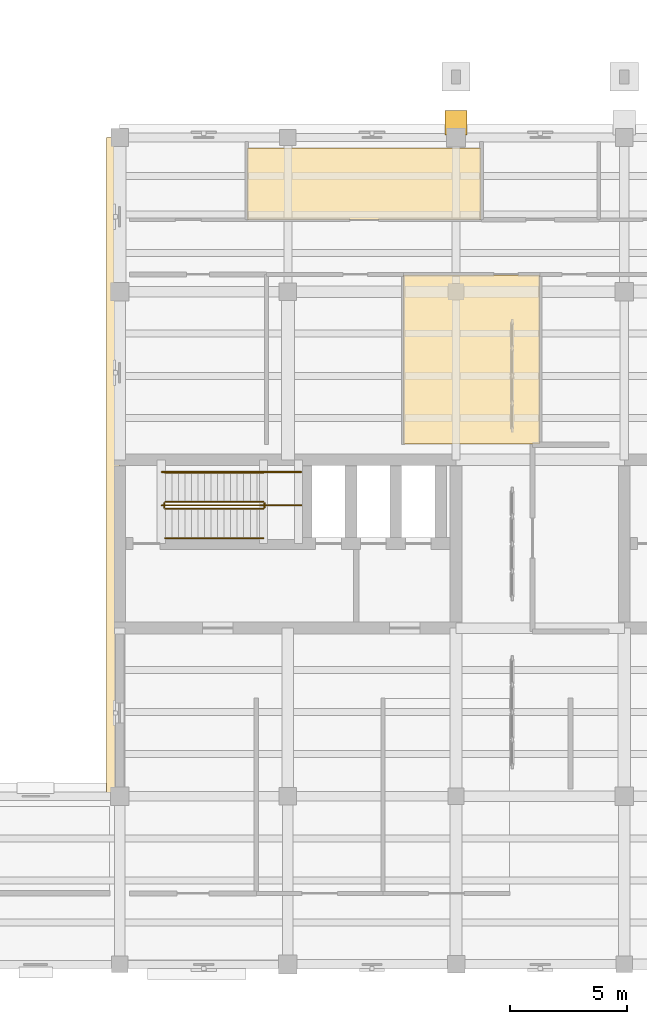
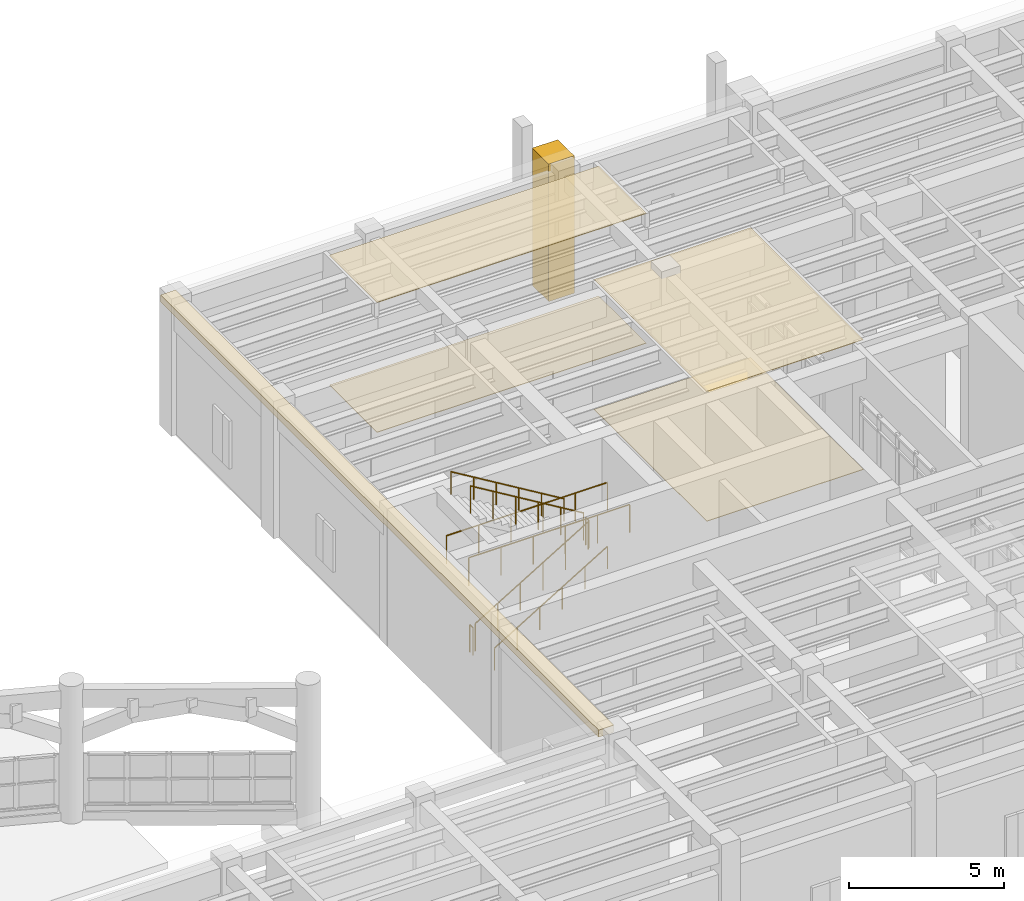
# One storey, part 95 of 100: 8 railings, 6 coverings.
"""IFC4 building model written with IfcOpenShell, lengths in metres."""

from ifc_helpers import new_model, si_unit, direction, frame, origin, origin_2d, place, context, subcontext, project, spatial, polyline, rectangle, circle, outline, extrude, material, layer, layer_set, type_object, element, save


model = new_model("IFC4")

# Units and contexts
model_context = context("Model", 3, precision=1e-05, world=origin(), true_north=direction((0.0, 1.0)))
body_context = subcontext(model_context, "Body", "Model", "MODEL_VIEW")
ifc_project = project(units=[si_unit("LENGTHUNIT", "METRE"), si_unit("AREAUNIT", "SQUARE_METRE"), si_unit("VOLUMEUNIT", "CUBIC_METRE"), si_unit("PLANEANGLEUNIT", "RADIAN"), si_unit("MASSUNIT", "GRAM", prefix="KILO")], contexts=[model_context])

# Site, building, storey
site_placement = place(None, origin())
site = spatial("IfcSite", under=ifc_project, at=site_placement, CompositionType="ELEMENT")
building_placement = place(site_placement, origin())
building = spatial("IfcBuilding", under=site, at=building_placement, Name="Mithqara Police Headquarters", CompositionType="ELEMENT")
storey_placement = place(building_placement, origin())
storey = spatial("IfcBuildingStorey", under=building, at=storey_placement, Name="L00", CompositionType="ELEMENT", Elevation=0.0)

# Coverings
ifc_material_1 = material(Name="Acoustic mineral-fibre ceiling tile", Category="gypsum")
ifc_layer_1 = layer(ifc_material_1, 0.02490234375, Name="Acoustic mineral-fibre ceiling tile")
ifc_layer_set_1 = layer_set([ifc_layer_1], Name="Acoustic mineral-fibre ceiling tile")
covering_type_1 = type_object("IfcCoveringType", Name="ACOUSTIC CEILING TILE", PredefinedType="CEILING", material=ifc_layer_set_1)
covering_1_placement = place(storey_placement, frame((0.0, 0.0, 5.094970703125)))
element("IfcCovering", 1, at=covering_1_placement, inside=storey, type_object=covering_type_1, Name="Security Access Badging Office Acoustic Ceiling", PredefinedType="CEILING", context=body_context, shape_type="SweptSolid", body=[
    extrude(outline(polyline([(120.760009765625, 100.8701171875), (126.580078125, 100.8701171875), (126.580078125, 108.1201171875), (120.760009765625, 108.1201171875), (120.760009765625, 100.8701171875)])), origin(), (0.0, 0.0, 1.0), 0.025146484375),
])
covering_2_placement = place(storey_placement, frame((0.0, 0.0, 5.094970703125)))
element("IfcCovering", 2, at=covering_2_placement, inside=storey, type_object=covering_type_1, Name="Patrol Briefing Room Acoustic Ceiling", PredefinedType="CEILING", context=body_context, shape_type="SweptSolid", body=[
    extrude(outline(polyline([(114.06298828125, 110.5), (124.069091796875, 110.5), (124.069091796875, 113.56005859375), (114.06298828125, 113.56005859375), (114.06298828125, 110.5)])), origin(), (0.0, 0.0, 1.0), 0.025146484375),
])
ifc_material_2 = material(Name="Limestone ashlar masonry, 45 MPa", Category="masonry")
ifc_layer_2 = layer(ifc_material_2, 0.320068359375, Name="Limestone ashlar masonry, 45 MPa")
ifc_layer_set_2 = layer_set([ifc_layer_2], Name="Limestone ashlar masonry, 45 MPa")
covering_type_2 = type_object("IfcCoveringType", Name="CORNICE LIMESTONE", PredefinedType="CLADDING", material=ifc_layer_set_2)
covering_3_placement = place(storey_placement, frame((108.320068359375, 99.89990234375, 5.1201171875), z_axis=(0.0, 0.0, 1.0), x_axis=(0.0, 1.0, 0.0)))
element("IfcCovering", 3, at=covering_3_placement, inside=storey, type_object=covering_type_2, Name="L00 Projecting Ottoman Limestone Eaves Cornice 9", PredefinedType="CLADDING", context=body_context, shape_type="SweptSolid", body=[
    extrude(rectangle(XDim=28.199951171875, YDim=0.56005859375, at=origin_2d()), origin(), (0.0, 0.0, 1.0), 0.280029296875),
])
covering_4_placement = place(storey_placement, frame((123.0, 114.6298828125, 0.0), z_axis=(0.0, 0.0, 1.0), x_axis=(1.0, 0.0, 0.0)))
element("IfcCovering", 4, at=covering_4_placement, inside=storey, type_object=covering_type_2, Name="Recessed Entrance Portal Cheek Pier W-L00", PredefinedType="CLADDING", context=body_context, shape_type="SweptSolid", body=[
    extrude(rectangle(XDim=0.949951171875, YDim=1.050048828125, at=origin_2d()), origin(), (0.0, 0.0, 1.0), 5.39990234375),
])

# Railings
ifc_material_3 = material(Name="Steel S355JR", Category="steel")
railing_type_1 = type_object("IfcRailingType", Name="HANDRAIL 920", PredefinedType="HANDRAIL", material=ifc_material_3)
railing_1_placement = place(storey_placement, frame((110.550048828125, 96.85009765625, 0.168701171875)))
element("IfcRailing", 5, at=railing_1_placement, inside=storey, type_object=railing_type_1, Name="L00 ST-01 stair handrail 1", PredefinedType="HANDRAIL", context=body_context, shape_type="SweptSolid", body=[
    extrude(circle(Radius=0.02392578125, at=origin_2d()), frame((0.0, 0.0, 0.8759765625), z_axis=(0.856476492594, 0.0, 0.516186030065), x_axis=(0.0, 1.0, 0.0)), (0.0, 0.0, 1.0), 4.90380859375),
    extrude(circle(Radius=0.02099609375, at=origin_2d()), origin(), (0.0, 0.0, 1.0), 0.851806640625),
    extrude(circle(Radius=0.02099609375, at=origin_2d()), frame((0.840087890625, 0.0, 0.50634765625)), (0.0, 0.0, 1.0), 0.851806640625),
    extrude(circle(Radius=0.02099609375, at=origin_2d()), frame((1.679931640625, 0.0, 1.012451171875)), (0.0, 0.0, 1.0), 0.851806640625),
    extrude(circle(Radius=0.02099609375, at=origin_2d()), frame((2.52001953125, 0.0, 1.518798828125)), (0.0, 0.0, 1.0), 0.851806640625),
    extrude(circle(Radius=0.02099609375, at=origin_2d()), frame((3.35986328125, 0.0, 2.02490234375)), (0.0, 0.0, 1.0), 0.851806640625),
    extrude(circle(Radius=0.02099609375, at=origin_2d()), frame((4.199951171875, 0.0, 2.53125)), (0.0, 0.0, 1.0), 0.851806640625),
])
railing_2_placement = place(storey_placement, frame((114.75, 99.64990234375, 2.86865234375)))
element("IfcRailing", 6, at=railing_2_placement, inside=storey, type_object=railing_type_1, Name="L00 ST-01 stair handrail 2", PredefinedType="HANDRAIL", context=body_context, shape_type="SweptSolid", body=[
    extrude(circle(Radius=0.02392578125, at=origin_2d()), frame((0.0, 0.0, 0.8759765625), z_axis=(-0.856476492594, 0.0, 0.516186030065), x_axis=(0.0, -1.0, 0.0)), (0.0, 0.0, 1.0), 4.90380859375),
    extrude(circle(Radius=0.02099609375, at=origin_2d()), origin(), (0.0, 0.0, 1.0), 0.851806640625),
    extrude(circle(Radius=0.02099609375, at=origin_2d()), frame((-0.840087890625, 0.0, 0.50634765625)), (0.0, 0.0, 1.0), 0.851806640625),
    extrude(circle(Radius=0.02099609375, at=origin_2d()), frame((-1.679931640625, 0.0, 1.012451171875)), (0.0, 0.0, 1.0), 0.851806640625),
    extrude(circle(Radius=0.02099609375, at=origin_2d()), frame((-2.52001953125, 0.0, 1.518798828125)), (0.0, 0.0, 1.0), 0.851806640625),
    extrude(circle(Radius=0.02099609375, at=origin_2d()), frame((-3.35986328125, 0.0, 2.02490234375)), (0.0, 0.0, 1.0), 0.851806640625),
    extrude(circle(Radius=0.02099609375, at=origin_2d()), frame((-4.199951171875, 0.0, 2.53125)), (0.0, 0.0, 1.0), 0.851806640625),
])
railing_type_2 = type_object("IfcRailingType", Name="STAIR GUARD 1120", PredefinedType="GUARDRAIL", material=ifc_material_3)
railing_3_placement = place(storey_placement, frame((110.550048828125, 98.10009765625, 0.168701171875)))
element("IfcRailing", 7, at=railing_3_placement, inside=storey, type_object=railing_type_2, Name="L00 ST-01 stair guard 1", PredefinedType="GUARDRAIL", context=body_context, shape_type="SweptSolid", body=[
    extrude(circle(Radius=0.02392578125, at=origin_2d()), frame((0.0, 0.0, 1.076171875), z_axis=(0.856476492594, 0.0, 0.516186030065), x_axis=(0.0, 1.0, 0.0)), (0.0, 0.0, 1.0), 4.90380859375),
    extrude(circle(Radius=0.02099609375, at=origin_2d()), origin(), (0.0, 0.0, 1.0), 1.052001953125),
    extrude(circle(Radius=0.02099609375, at=origin_2d()), frame((0.840087890625, 0.0, 0.50634765625)), (0.0, 0.0, 1.0), 1.052001953125),
    extrude(circle(Radius=0.02099609375, at=origin_2d()), frame((1.679931640625, 0.0, 1.012451171875)), (0.0, 0.0, 1.0), 1.052001953125),
    extrude(circle(Radius=0.02099609375, at=origin_2d()), frame((2.52001953125, 0.0, 1.518798828125)), (0.0, 0.0, 1.0), 1.052001953125),
    extrude(circle(Radius=0.02099609375, at=origin_2d()), frame((3.35986328125, 0.0, 2.02490234375)), (0.0, 0.0, 1.0), 1.052001953125),
    extrude(circle(Radius=0.02099609375, at=origin_2d()), frame((4.199951171875, 0.0, 2.53125)), (0.0, 0.0, 1.0), 1.052001953125),
])
railing_4_placement = place(storey_placement, frame((114.800048828125, 98.14990234375, 2.699951171875)))
element("IfcRailing", 8, at=railing_4_placement, inside=storey, type_object=railing_type_2, Name="L00 ST-01 stair guard 2", PredefinedType="GUARDRAIL", context=body_context, shape_type="SweptSolid", body=[
    extrude(circle(Radius=0.02392578125, at=origin_2d()), frame((0.0, 0.0, 1.076171875), z_axis=(0.0, 1.0, 0.0), x_axis=(-1.0, 0.0, 0.0)), (0.0, 0.0, 1.0), 0.2001953125),
    extrude(circle(Radius=0.02099609375, at=origin_2d()), origin(), (0.0, 0.0, 1.0), 1.052001953125),
    extrude(circle(Radius=0.02099609375, at=origin_2d()), frame((0.0, 0.2001953125, 0.0)), (0.0, 0.0, 1.0), 1.052001953125),
])
railing_5_placement = place(storey_placement, frame((114.75, 98.39990234375, 2.86865234375)))
element("IfcRailing", 9, at=railing_5_placement, inside=storey, type_object=railing_type_2, Name="L00 ST-01 stair guard 3", PredefinedType="GUARDRAIL", context=body_context, shape_type="SweptSolid", body=[
    extrude(circle(Radius=0.02392578125, at=origin_2d()), frame((0.0, 0.0, 1.076171875), z_axis=(-0.856476492594, 0.0, 0.516186030065), x_axis=(0.0, -1.0, 0.0)), (0.0, 0.0, 1.0), 4.90380859375),
    extrude(circle(Radius=0.02099609375, at=origin_2d()), origin(), (0.0, 0.0, 1.0), 1.052001953125),
    extrude(circle(Radius=0.02099609375, at=origin_2d()), frame((-0.840087890625, 0.0, 0.50634765625)), (0.0, 0.0, 1.0), 1.052001953125),
    extrude(circle(Radius=0.02099609375, at=origin_2d()), frame((-1.679931640625, 0.0, 1.012451171875)), (0.0, 0.0, 1.0), 1.052001953125),
    extrude(circle(Radius=0.02099609375, at=origin_2d()), frame((-2.52001953125, 0.0, 1.518798828125)), (0.0, 0.0, 1.0), 1.052001953125),
    extrude(circle(Radius=0.02099609375, at=origin_2d()), frame((-3.35986328125, 0.0, 2.02490234375)), (0.0, 0.0, 1.0), 1.052001953125),
    extrude(circle(Radius=0.02099609375, at=origin_2d()), frame((-4.199951171875, 0.0, 2.53125)), (0.0, 0.0, 1.0), 1.052001953125),
])
railing_6_placement = place(storey_placement, frame((110.5, 98.14990234375, 0.0)))
element("IfcRailing", 10, at=railing_6_placement, inside=storey, type_object=railing_type_2, Name="L00 ST-01 stair guard 4", PredefinedType="GUARDRAIL", context=body_context, shape_type="SweptSolid", body=[
    extrude(circle(Radius=0.02392578125, at=origin_2d()), frame((0.0, 0.0, 1.076171875), z_axis=(0.0, 1.0, 0.0), x_axis=(-1.0, 0.0, 0.0)), (0.0, 0.0, 1.0), 0.2001953125),
    extrude(circle(Radius=0.02099609375, at=origin_2d()), origin(), (0.0, 0.0, 1.0), 1.052001953125),
    extrude(circle(Radius=0.02099609375, at=origin_2d()), frame((0.0, 0.2001953125, 0.0)), (0.0, 0.0, 1.0), 1.052001953125),
])
for number, where, name in (
    (11, (110.39990234375, 98.25, 2.699951171875), "L00 ST-01 Half-Landing Guard IN"),
    (12, (110.39990234375, 99.679931640625, 2.699951171875), "L00 ST-01 Half-Landing Guard OUT"),
):
    element("IfcRailing", number, at=place(storey_placement, frame(where)), inside=storey, type_object=railing_type_2, Name=name, PredefinedType="GUARDRAIL", context=body_context, shape_type="SweptSolid", body=[
        extrude(circle(Radius=0.02392578125, at=origin_2d()), frame((0.0, 0.0, 1.09619140625), z_axis=(1.0, 0.0, 0.0), x_axis=(0.0, 1.0, 0.0)), (0.0, 0.0, 1.0), 5.97998046875),
        extrude(circle(Radius=0.02099609375, at=origin_2d()), origin(), (0.0, 0.0, 1.0), 1.072021484375),
        extrude(circle(Radius=0.02099609375, at=origin_2d()), frame((1.196044921875, 0.0, 0.0)), (0.0, 0.0, 1.0), 1.072021484375),
        extrude(circle(Radius=0.02099609375, at=origin_2d()), frame((2.39208984375, 0.0, 0.0)), (0.0, 0.0, 1.0), 1.072021484375),
        extrude(circle(Radius=0.02099609375, at=origin_2d()), frame((3.587890625, 0.0, 0.0)), (0.0, 0.0, 1.0), 1.072021484375),
        extrude(circle(Radius=0.02099609375, at=origin_2d()), frame((4.783935546875, 0.0, 0.0)), (0.0, 0.0, 1.0), 1.072021484375),
        extrude(circle(Radius=0.02099609375, at=origin_2d()), frame((5.97998046875, 0.0, 0.0)), (0.0, 0.0, 1.0), 1.072021484375),
    ])

# Coverings
ifc_material_4 = material(Name="Polished limestone terrazzo flooring", Category="masonry")
ifc_layer_3 = layer(ifc_material_4, 0.02001953125, Name="Polished limestone terrazzo flooring")
ifc_layer_set_3 = layer_set([ifc_layer_3], Name="Polished limestone terrazzo flooring")
covering_type_3 = type_object("IfcCoveringType", Name="TERRAZZO FLOOR FINISH", PredefinedType="FLOORING", material=ifc_layer_set_3)
covering_5_placement = place(storey_placement, origin())
element("IfcCovering", 13, at=covering_5_placement, inside=storey, type_object=covering_type_3, Name="Security Access Badging Office Terrazzo Floor Finish", PredefinedType="FLOORING", context=body_context, shape_type="SweptSolid", body=[
    extrude(outline(polyline([(120.760009765625, 100.8701171875), (126.580078125, 100.8701171875), (126.580078125, 108.1201171875), (120.760009765625, 108.1201171875), (120.760009765625, 100.8701171875)])), origin(), (0.0, 0.0, 1.0), 0.02001953125),
])
covering_6_placement = place(storey_placement, origin())
element("IfcCovering", 14, at=covering_6_placement, inside=storey, type_object=covering_type_3, Name="Patrol Briefing Room Terrazzo Floor Finish", PredefinedType="FLOORING", context=body_context, shape_type="SweptSolid", body=[
    extrude(outline(polyline([(114.06298828125, 110.5), (124.069091796875, 110.5), (124.069091796875, 113.56005859375), (114.06298828125, 113.56005859375), (114.06298828125, 110.5)])), origin(), (0.0, 0.0, 1.0), 0.02001953125),
])

save(model, "model.ifc")
